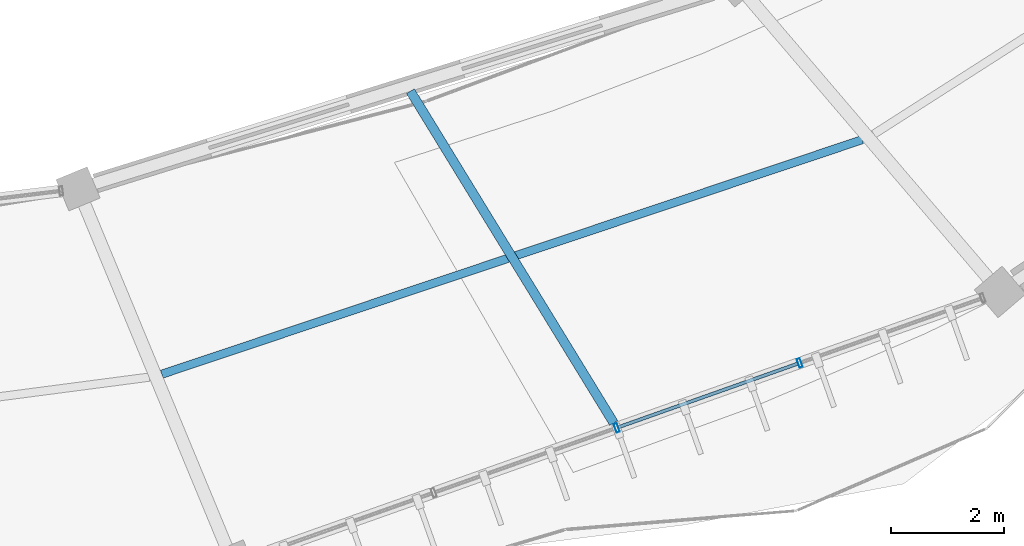
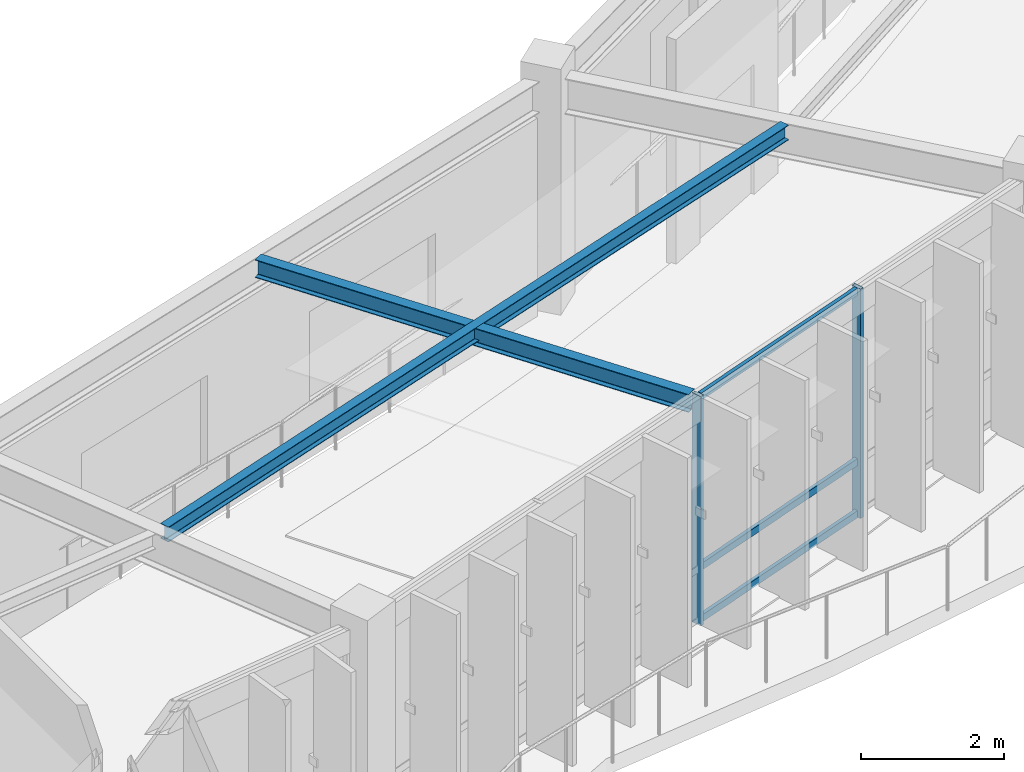
# One storey, part 52 of 114: 5 members, 2 beams, 1 element without a shape of its own.
"""IFC4 building model written with IfcOpenShell, lengths in metres."""

from ifc_helpers import new_model, si_unit, direction, frame, origin, origin_2d, place, context, subcontext, project, spatial, hollow_rectangle, i_section, extrude, material, material_profile, profile_set, type_object, element, aggregate, save


model = new_model("IFC4")

# Units and contexts
model_context = context("Model", 3, precision=1e-05, world=origin(), true_north=direction((0.0, 1.0)))
body_context = subcontext(model_context, "Body", "Model", "MODEL_VIEW")
ifc_project = project(units=[si_unit("LENGTHUNIT", "METRE"), si_unit("AREAUNIT", "SQUARE_METRE"), si_unit("VOLUMEUNIT", "CUBIC_METRE"), si_unit("PLANEANGLEUNIT", "RADIAN"), si_unit("MASSUNIT", "GRAM", prefix="KILO"), si_unit("THERMODYNAMICTEMPERATUREUNIT", "KELVIN"), si_unit("POWERUNIT", "WATT")], contexts=[model_context])

# Site, building, storey
site_placement = place(None, origin())
site = spatial("IfcSite", under=ifc_project, at=site_placement, CompositionType="ELEMENT")
building_placement = place(site_placement, origin())
building = spatial("IfcBuilding", under=site, at=building_placement, Name="Darbajah Civic Hall", CompositionType="ELEMENT")
storey_placement = place(building_placement, frame((0.0, 0.0, 13.800048828125)))
storey = spatial("IfcBuildingStorey", under=building, at=storey_placement, Name="L03", CompositionType="ELEMENT", Elevation=13.800048828125)

# Curtain wall, members
ifc_material_1 = material(Name="Anodised Bronze Aluminium and Low-E Glazing", Category="aluminium")
curtain_wall_type = type_object("IfcCurtainWallType", Name="Unitised Curtain Wall CW-62 13800x3900", PredefinedType="USERDEFINED", material=ifc_material_1)
curtain_wall_placement = place(storey_placement, origin())
curtain_wall = element("IfcCurtainWall", 1, at=curtain_wall_placement, inside=storey, type_object=curtain_wall_type, Name="L03 unitised curtain wall CW-V1O-L03-16", ObjectType="UNITISED CURTAIN WALL", PredefinedType="USERDEFINED")
ifc_material_2 = material(Name="Anodised Bronze Aluminium", Category="aluminium")
ifc_material_profile_1 = material_profile(ifc_material_2, hollow_rectangle(XDim=0.06005859375, YDim=0.159912109375, WallThickness=0.00341796875, at=origin_2d()), Name="ALU MULLION 60x160")
ifc_profile_set_1 = profile_set([ifc_material_profile_1], Name="Anodised Bronze Aluminium")
member_type_1 = type_object("IfcMemberType", Name="ALU MULLION 60x160", PredefinedType="MULLION", material=ifc_profile_set_1)
member_1_placement = place(storey_placement, frame((115.41943359375, 64.956787109375, 0.0), z_axis=(0.0, 0.0, 1.0), x_axis=(0.94252491309, 0.334135882844, 0.0)))
member_1 = element("IfcMember", 2, at=member_1_placement, type_object=member_type_1, Name="CW-V1O-L03-16 mullion 3", PredefinedType="MULLION", context=body_context, shape_type="SweptSolid", body=[
    extrude(hollow_rectangle(XDim=0.06005859375, YDim=0.159912109375, WallThickness=0.00341796875, at=origin_2d()), origin(), (0.0, 0.0, 1.0), 3.919921875),
])
member_2_placement = place(storey_placement, frame((118.66650390625, 66.10791015625, 0.0), z_axis=(0.0, 0.0, 1.0), x_axis=(0.94252491309, 0.334135882844, 0.0)))
member_2 = element("IfcMember", 3, at=member_2_placement, type_object=member_type_1, Name="CW-V1O-L03-16 mullion 4", PredefinedType="MULLION", context=body_context, shape_type="SweptSolid", body=[
    extrude(hollow_rectangle(XDim=0.06005859375, YDim=0.159912109375, WallThickness=0.00341796875, at=origin_2d()), origin(), (0.0, 0.0, 1.0), 3.919921875),
])
ifc_material_profile_2 = material_profile(ifc_material_2, hollow_rectangle(XDim=0.06005859375, YDim=0.1201171875, WallThickness=0.003173828125, at=origin_2d()), Name="ALU TRANSOM 60x120")
ifc_profile_set_2 = profile_set([ifc_material_profile_2], Name="Anodised Bronze Aluminium")
member_type_2 = type_object("IfcMemberType", Name="ALU TRANSOM 60x120", PredefinedType="USERDEFINED", material=ifc_profile_set_2)
member_3_placement = place(storey_placement, frame((115.452392578125, 64.968505859375, 0.06005859375), z_axis=(0.942531389956, 0.334117612449, 0.0), x_axis=(-0.334117612449, 0.942531389956, 0.0)))
member_3 = element("IfcMember", 4, at=member_3_placement, type_object=member_type_2, Name="CW-V1O-L03-16 transom 3.1", ObjectType="TRANSOM", PredefinedType="USERDEFINED", context=body_context, shape_type="SweptSolid", body=[
    extrude(hollow_rectangle(XDim=0.06005859375, YDim=0.1201171875, WallThickness=0.003173828125, at=origin_2d()), origin(), (0.0, 0.0, 1.0), 3.375),
])
member_4_placement = place(storey_placement, frame((115.452392578125, 64.968505859375, 0.949951171875), z_axis=(0.942531389956, 0.334117612449, 0.0), x_axis=(-0.334117612449, 0.942531389956, 0.0)))
member_4 = element("IfcMember", 5, at=member_4_placement, type_object=member_type_2, Name="CW-V1O-L03-16 transom 3.2", ObjectType="TRANSOM", PredefinedType="USERDEFINED", context=body_context, shape_type="SweptSolid", body=[
    extrude(hollow_rectangle(XDim=0.06005859375, YDim=0.1201171875, WallThickness=0.003173828125, at=origin_2d()), origin(), (0.0, 0.0, 1.0), 3.375),
])
member_5_placement = place(storey_placement, frame((115.452392578125, 64.968505859375, 3.85986328125), z_axis=(0.942531389956, 0.334117612449, 0.0), x_axis=(-0.334117612449, 0.942531389956, 0.0)))
member_5 = element("IfcMember", 6, at=member_5_placement, type_object=member_type_2, Name="CW-V1O-L03-16 transom 3.3", ObjectType="TRANSOM", PredefinedType="USERDEFINED", context=body_context, shape_type="SweptSolid", body=[
    extrude(hollow_rectangle(XDim=0.06005859375, YDim=0.1201171875, WallThickness=0.003173828125, at=origin_2d()), origin(), (0.0, 0.0, 1.0), 3.375),
])
aggregate(curtain_wall, [member_1, member_2, member_3, member_4, member_5])

# Beams
ifc_material_3 = material(Name="Steel S355JR", Category="steel")
ifc_material_profile_3 = material_profile(ifc_material_3, i_section(OverallWidth=0.146484375, OverallDepth=0.256103515625, WebThickness=0.00634765625, FlangeThickness=0.010986328125, FilletRadius=0.007568359375, at=origin_2d()), Name="UB 254x146x37")
ifc_profile_set_3 = profile_set([ifc_material_profile_3], Name="Steel S355JR")
beam_type_1 = type_object("IfcBeamType", Name="UB 254x146x37", PredefinedType="JOIST", material=ifc_profile_set_3)
beam_1_placement = place(storey_placement, frame((107.34912109375, 65.908447265625, 3.7919921875), z_axis=(0.948257615403, 0.317501960357, 0.0), x_axis=(-0.317501960357, 0.948257615403, 0.0)))
element("IfcBeam", 7, at=beam_1_placement, inside=storey, type_object=beam_type_1, Name="L03 beam SJ-254", PredefinedType="JOIST", context=body_context, shape_type="SweptSolid", body=[
    extrude(i_section(OverallWidth=0.146484375, OverallDepth=0.256103515625, WebThickness=0.00634765625, FlangeThickness=0.010986328125, FilletRadius=0.007568359375, at=origin_2d()), origin(), (0.0, 0.0, 1.0), 13.102783203125),
])
ifc_material_profile_4 = material_profile(ifc_material_3, i_section(OverallWidth=0.165771484375, OverallDepth=0.306640625, WebThickness=0.006591796875, FlangeThickness=0.01171875, FilletRadius=0.0087890625, at=origin_2d()), Name="UB 305x165x46")
ifc_profile_set_4 = profile_set([ifc_material_profile_4], Name="Steel S355JR")
beam_type_2 = type_object("IfcBeamType", Name="UB 305x165x46", PredefinedType="JOIST", material=ifc_profile_set_4)
beam_2_placement = place(storey_placement, frame((111.759033203125, 70.9296875, 3.7666015625), z_axis=(0.522523909848, -0.852624632319, 0.0), x_axis=(0.852624632319, 0.522523909848, 0.0)))
element("IfcBeam", 8, at=beam_2_placement, inside=storey, type_object=beam_type_2, Name="L03 beam SJ-305", PredefinedType="JOIST", context=body_context, shape_type="SweptSolid", body=[
    extrude(i_section(OverallWidth=0.165771484375, OverallDepth=0.306640625, WebThickness=0.006591796875, FlangeThickness=0.01171875, FilletRadius=0.0087890625, at=origin_2d()), origin(), (0.0, 0.0, 1.0), 6.9033203125),
])

save(model, "model.ifc")
